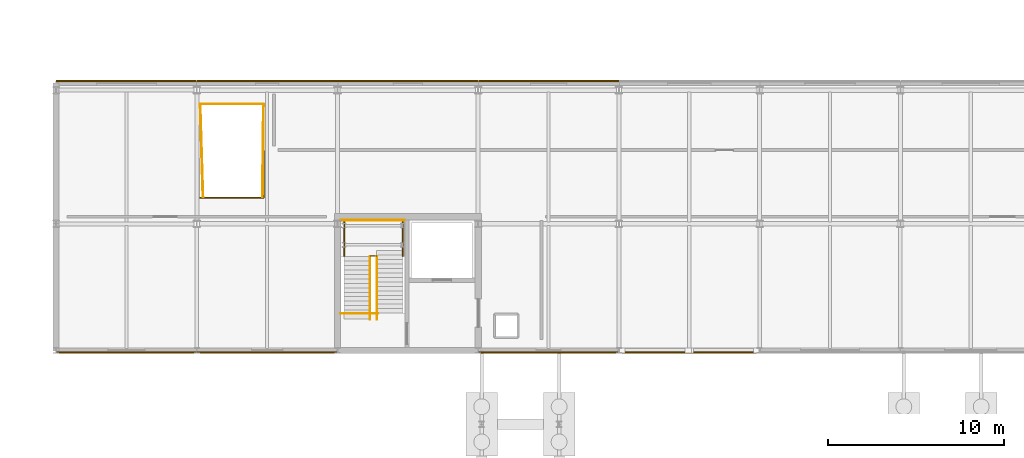
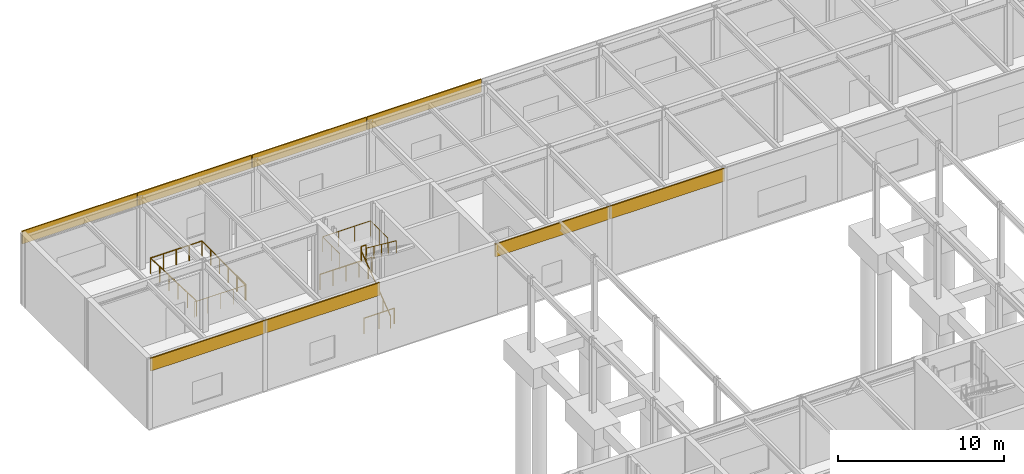
# One storey, part 54 of 62: 10 railings, 8 coverings.
"""IFC4 building model written with IfcOpenShell, lengths in metres."""

from ifc_helpers import new_model, si_unit, direction, frame, origin, origin_2d, place, context, subcontext, project, spatial, rectangle, circle, extrude, material, layer, layer_set, type_object, element, save


model = new_model("IFC4")

# Units and contexts
model_context = context("Model", 3, precision=1e-05, world=origin(), true_north=direction((0.0, 1.0)))
body_context = subcontext(model_context, "Body", "Model", "MODEL_VIEW")
ifc_project = project(units=[si_unit("LENGTHUNIT", "METRE"), si_unit("AREAUNIT", "SQUARE_METRE"), si_unit("VOLUMEUNIT", "CUBIC_METRE"), si_unit("PLANEANGLEUNIT", "RADIAN"), si_unit("MASSUNIT", "GRAM", prefix="KILO")], contexts=[model_context])

# Site, building, storey
site_placement = place(None, origin())
site = spatial("IfcSite", under=ifc_project, at=site_placement, CompositionType="ELEMENT")
building_placement = place(site_placement, origin())
building = spatial("IfcBuilding", under=site, at=building_placement, Name="Zulena Civic Courthouse", CompositionType="ELEMENT")
storey_placement = place(building_placement, origin())
storey = spatial("IfcBuildingStorey", under=building, at=storey_placement, Name="L00", CompositionType="ELEMENT", Elevation=0.0)

# Railings
ifc_material_1 = material(Name="Brushed architectural steel ASTM A36", Category="steel")
railing_type_1 = type_object("IfcRailingType", Name="InteriorGuardrail_1150", PredefinedType="GUARDRAIL", material=ifc_material_1)
railing_1_placement = place(storey_placement, frame((20.199951171875, 53.409912109375, 0.0)))
element("IfcRailing", 1, at=railing_1_placement, inside=storey, type_object=railing_type_1, Name="gr:wellN:K5A:B01", PredefinedType="GUARDRAIL", context=body_context, shape_type="SweptSolid", body=[
    extrude(circle(Radius=0.02392578125, at=origin_2d()), frame((0.00390625, 0.0, 1.1259765625), z_axis=(1.0, 0.0, 0.0), x_axis=(0.0, 1.0, 0.0)), (0.0, 0.0, 1.0), 3.592041015625),
    extrude(circle(Radius=0.02099609375, at=origin_2d()), origin(), (0.0, 0.0, 1.0), 1.097900390625),
    extrude(circle(Radius=0.02099609375, at=origin_2d()), frame((0.89990234375, 0.0, 0.0)), (0.0, 0.0, 1.0), 1.097900390625),
    extrude(circle(Radius=0.02099609375, at=origin_2d()), frame((1.800048828125, 0.0, 0.0)), (0.0, 0.0, 1.0), 1.097900390625),
    extrude(circle(Radius=0.02099609375, at=origin_2d()), frame((2.7001953125, 0.0, 0.0)), (0.0, 0.0, 1.0), 1.097900390625),
    extrude(circle(Radius=0.02099609375, at=origin_2d()), frame((3.60009765625, 0.0, 0.0)), (0.0, 0.0, 1.0), 1.097900390625),
])
railing_2_placement = place(storey_placement, frame((20.179931640625, 48.10009765625, 0.0)))
element("IfcRailing", 2, at=railing_2_placement, inside=storey, type_object=railing_type_1, Name="gr:wells:K5A:L00", PredefinedType="GUARDRAIL", context=body_context, shape_type="SweptSolid", body=[
    extrude(circle(Radius=0.02392578125, at=origin_2d()), frame((0.00390625, 0.0, 1.1259765625), z_axis=(1.0, 0.0, 0.0), x_axis=(0.0, 1.0, 0.0)), (0.0, 0.0, 1.0), 2.112060546875),
    extrude(circle(Radius=0.02099609375, at=origin_2d()), origin(), (0.0, 0.0, 1.0), 1.097900390625),
    extrude(circle(Radius=0.02099609375, at=origin_2d()), frame((1.06005859375, 0.0, 0.0)), (0.0, 0.0, 1.0), 1.097900390625),
    extrude(circle(Radius=0.02099609375, at=origin_2d()), frame((2.1201171875, 0.0, 0.0)), (0.0, 0.0, 1.0), 1.097900390625),
])
railing_3_placement = place(storey_placement, frame((20.3798828125, 51.349609375, 2.699951171875)))
element("IfcRailing", 3, at=railing_3_placement, inside=storey, type_object=railing_type_1, Name="gr:lnd:K5A:L00", PredefinedType="GUARDRAIL", context=body_context, shape_type="SweptSolid", body=[
    extrude(circle(Radius=0.02392578125, at=origin_2d()), frame((0.0, 0.00390625, 1.1259765625), z_axis=(0.0, 1.0, 0.0), x_axis=(-1.0, 0.0, 0.0)), (0.0, 0.0, 1.0), 2.062255859375),
    extrude(circle(Radius=0.02392578125, at=origin_2d()), frame((0.00390625, 2.0703125, 1.1259765625), z_axis=(1.0, 0.0, 0.0), x_axis=(0.0, 1.0, 0.0)), (0.0, 0.0, 1.0), 3.33203125),
    extrude(circle(Radius=0.02392578125, at=origin_2d()), frame((3.340087890625, 2.06640625, 1.1259765625), z_axis=(0.0, -1.0, 0.0), x_axis=(1.0, 0.0, 0.0)), (0.0, 0.0, 1.0), 2.062255859375),
    extrude(circle(Radius=0.02099609375, at=origin_2d()), origin(), (0.0, 0.0, 1.0), 1.097900390625),
    extrude(circle(Radius=0.02099609375, at=origin_2d()), frame((0.0, 1.03515625, 0.0)), (0.0, 0.0, 1.0), 1.097900390625),
    extrude(circle(Radius=0.02099609375, at=origin_2d()), frame((0.0, 2.0703125, 0.0)), (0.0, 0.0, 1.0), 1.097900390625),
    extrude(circle(Radius=0.02099609375, at=origin_2d()), frame((1.11328125, 2.0703125, 0.0)), (0.0, 0.0, 1.0), 1.097900390625),
    extrude(circle(Radius=0.02099609375, at=origin_2d()), frame((2.226806640625, 2.0703125, 0.0)), (0.0, 0.0, 1.0), 1.097900390625),
    extrude(circle(Radius=0.02099609375, at=origin_2d()), frame((3.340087890625, 2.0703125, 0.0)), (0.0, 0.0, 1.0), 1.097900390625),
    extrude(circle(Radius=0.02099609375, at=origin_2d()), frame((3.340087890625, 1.03515625, 0.0)), (0.0, 0.0, 1.0), 1.097900390625),
    extrude(circle(Radius=0.02099609375, at=origin_2d()), frame((3.340087890625, 0.0, 0.0)), (0.0, 0.0, 1.0), 1.097900390625),
])
railing_4_placement = place(storey_placement, frame((21.8798828125, 51.3701171875, 2.699951171875)))
element("IfcRailing", 4, at=railing_4_placement, inside=storey, type_object=railing_type_1, Name="gr:lndslot:K5A:L00", PredefinedType="GUARDRAIL", context=body_context, shape_type="SweptSolid", body=[
    extrude(circle(Radius=0.02392578125, at=origin_2d()), frame((0.00390625, 0.0, 1.1259765625), z_axis=(1.0, 0.0, 0.0), x_axis=(0.0, 1.0, 0.0)), (0.0, 0.0, 1.0), 0.33203125),
    extrude(circle(Radius=0.02099609375, at=origin_2d()), origin(), (0.0, 0.0, 1.0), 1.097900390625),
    extrude(circle(Radius=0.02099609375, at=origin_2d()), frame((0.340087890625, 0.0, 0.0)), (0.0, 0.0, 1.0), 1.097900390625),
])
railing_5_placement = place(storey_placement, frame((12.199951171875, 60.010009765625, 0.0)))
element("IfcRailing", 5, at=railing_5_placement, inside=storey, type_object=railing_type_1, Name="gr:wellN:STB1:B01", PredefinedType="GUARDRAIL", context=body_context, shape_type="SweptSolid", body=[
    extrude(circle(Radius=0.02392578125, at=origin_2d()), frame((0.00390625, 0.0, 1.1259765625), z_axis=(1.0, 0.0, 0.0), x_axis=(0.0, 1.0, 0.0)), (0.0, 0.0, 1.0), 3.592041015625),
    extrude(circle(Radius=0.02099609375, at=origin_2d()), origin(), (0.0, 0.0, 1.0), 1.097900390625),
    extrude(circle(Radius=0.02099609375, at=origin_2d()), frame((0.89990234375, 0.0, 0.0)), (0.0, 0.0, 1.0), 1.097900390625),
    extrude(circle(Radius=0.02099609375, at=origin_2d()), frame((1.800048828125, 0.0, 0.0)), (0.0, 0.0, 1.0), 1.097900390625),
    extrude(circle(Radius=0.02099609375, at=origin_2d()), frame((2.7001953125, 0.0, 0.0)), (0.0, 0.0, 1.0), 1.097900390625),
    extrude(circle(Radius=0.02099609375, at=origin_2d()), frame((3.60009765625, 0.0, 0.0)), (0.0, 0.0, 1.0), 1.097900390625),
])
railing_6_placement = place(storey_placement, frame((15.800048828125, 60.02001953125, 0.0)))
element("IfcRailing", 6, at=railing_6_placement, inside=storey, type_object=railing_type_1, Name="gr:topwell:STB1:B01", PredefinedType="GUARDRAIL", context=body_context, shape_type="SweptSolid", body=[
    extrude(circle(Radius=0.02392578125, at=origin_2d()), frame((0.0, -0.00390625, 1.1259765625), z_axis=(0.0, -1.0, 0.0), x_axis=(1.0, 0.0, 0.0)), (0.0, 0.0, 1.0), 5.33203125),
    extrude(circle(Radius=0.02392578125, at=origin_2d()), frame((-0.00390625, -5.340087890625, 1.1259765625), z_axis=(-1.0, 0.0, 0.0), x_axis=(0.0, -1.0, 0.0)), (0.0, 0.0, 1.0), 3.612060546875),
    extrude(circle(Radius=0.02099609375, at=origin_2d()), origin(), (0.0, 0.0, 1.0), 1.097900390625),
    extrude(circle(Radius=0.02099609375, at=origin_2d()), frame((0.0, -1.068115234375, 0.0)), (0.0, 0.0, 1.0), 1.097900390625),
    extrude(circle(Radius=0.02099609375, at=origin_2d()), frame((0.0, -2.135986328125, 0.0)), (0.0, 0.0, 1.0), 1.097900390625),
    extrude(circle(Radius=0.02099609375, at=origin_2d()), frame((0.0, -3.2041015625, 0.0)), (0.0, 0.0, 1.0), 1.097900390625),
    extrude(circle(Radius=0.02099609375, at=origin_2d()), frame((0.0, -4.27197265625, 0.0)), (0.0, 0.0, 1.0), 1.097900390625),
    extrude(circle(Radius=0.02099609375, at=origin_2d()), frame((0.0, -5.340087890625, 0.0)), (0.0, 0.0, 1.0), 1.097900390625),
    extrude(circle(Radius=0.02099609375, at=origin_2d()), frame((-0.905029296875, -5.340087890625, 0.0)), (0.0, 0.0, 1.0), 1.097900390625),
    extrude(circle(Radius=0.02099609375, at=origin_2d()), frame((-1.81005859375, -5.340087890625, 0.0)), (0.0, 0.0, 1.0), 1.097900390625),
    extrude(circle(Radius=0.02099609375, at=origin_2d()), frame((-2.715087890625, -5.340087890625, 0.0)), (0.0, 0.0, 1.0), 1.097900390625),
    extrude(circle(Radius=0.02099609375, at=origin_2d()), frame((-3.6201171875, -5.340087890625, 0.0)), (0.0, 0.0, 1.0), 1.097900390625),
])
railing_7_placement = place(storey_placement, frame((12.360107421875, 54.719970703125, 0.0)))
element("IfcRailing", 7, at=railing_7_placement, inside=storey, type_object=railing_type_1, Name="gr:b01wellW:STB1", PredefinedType="GUARDRAIL", context=body_context, shape_type="SweptSolid", body=[
    extrude(circle(Radius=0.02392578125, at=origin_2d()), frame((0.0, 0.00390625, 1.1259765625), z_axis=(-0.030261194781, 0.999542025175, 0.0), x_axis=(-0.999542025175, -0.030261194781, 0.0)), (0.0, 0.0, 1.0), 5.284423828125),
    extrude(circle(Radius=0.02099609375, at=origin_2d()), origin(), (0.0, 0.0, 1.0), 1.097900390625),
    extrude(circle(Radius=0.02099609375, at=origin_2d()), frame((-0.031982421875, 1.05810546875, 0.0)), (0.0, 0.0, 1.0), 1.097900390625),
    extrude(circle(Radius=0.02099609375, at=origin_2d()), frame((-0.06396484375, 2.115966796875, 0.0)), (0.0, 0.0, 1.0), 1.097900390625),
    extrude(circle(Radius=0.02099609375, at=origin_2d()), frame((-0.09619140625, 3.174072265625, 0.0)), (0.0, 0.0, 1.0), 1.097900390625),
    extrude(circle(Radius=0.02099609375, at=origin_2d()), frame((-0.128173828125, 4.23193359375, 0.0)), (0.0, 0.0, 1.0), 1.097900390625),
    extrude(circle(Radius=0.02099609375, at=origin_2d()), frame((-0.16015625, 5.2900390625, 0.0)), (0.0, 0.0, 1.0), 1.097900390625),
])
railing_8_placement = place(storey_placement, frame((15.739990234375, 54.719970703125, 0.0)))
element("IfcRailing", 8, at=railing_8_placement, inside=storey, type_object=railing_type_1, Name="gr:b01wellE:STB1", PredefinedType="GUARDRAIL", context=body_context, shape_type="SweptSolid", body=[
    extrude(circle(Radius=0.02392578125, at=origin_2d()), frame((0.0, 0.00390625, 1.1259765625), z_axis=(0.011352415893, 0.99993555925, 0.0), x_axis=(-0.99993555925, 0.011352415893, 0.0)), (0.0, 0.0, 1.0), 5.282470703125),
    extrude(circle(Radius=0.02099609375, at=origin_2d()), origin(), (0.0, 0.0, 1.0), 1.097900390625),
    extrude(circle(Radius=0.02099609375, at=origin_2d()), frame((0.011962890625, 1.05810546875, 0.0)), (0.0, 0.0, 1.0), 1.097900390625),
    extrude(circle(Radius=0.02099609375, at=origin_2d()), frame((0.02392578125, 2.115966796875, 0.0)), (0.0, 0.0, 1.0), 1.097900390625),
    extrude(circle(Radius=0.02099609375, at=origin_2d()), frame((0.0361328125, 3.174072265625, 0.0)), (0.0, 0.0, 1.0), 1.097900390625),
    extrude(circle(Radius=0.02099609375, at=origin_2d()), frame((0.048095703125, 4.23193359375, 0.0)), (0.0, 0.0, 1.0), 1.097900390625),
    extrude(circle(Radius=0.02099609375, at=origin_2d()), frame((0.06005859375, 5.2900390625, 0.0)), (0.0, 0.0, 1.0), 1.097900390625),
])

# Coverings
ifc_material_2 = material(Name="White architectural precast concrete C40/50", Category="concrete")
ifc_layer = layer(ifc_material_2, 0.0849609375)
ifc_layer_set = layer_set([ifc_layer], Name="White architectural precast concrete C40/50")
covering_type = type_object("IfcCoveringType", Name="PrecastSpandrelCladding_85", PredefinedType="CLADDING", material=ifc_layer_set)
for number, where, z_axis, x_axis, name in (
    (9, (8.0, 61.320068359375, 4.25), (0.0, 0.0, 1.0), (1.0, 0.0, 0.0), "clad:sp:V5:L00:1:0"),
    (10, (16.0, 61.320068359375, 4.25), (0.0, 0.0, 1.0), (1.0, 0.0, 0.0), "clad:sp:V5:L00:1:1"),
    (11, (24.0, 61.320068359375, 4.25), (0.0, 0.0, 1.0), (1.0, 0.0, 0.0), "clad:sp:V5:L00:1:2"),
    (12, (32.0, 61.320068359375, 4.25), (0.0, 0.0, 1.0), (1.0, 0.0, 0.0), "clad:sp:V5:L00:1:3"),
    (13, (40.0, 45.8798828125, 4.25), (0.0, 0.0, 1.0), (-1.0, 0.0, 0.0), "clad:sp:V5:L00:5:8"),
    (14, (32.0, 45.8798828125, 4.25), (0.0, 0.0, 1.0), (-1.0, 0.0, 0.0), "clad:sp:V5:L00:5:9"),
    (15, (16.0, 45.8798828125, 4.25), (0.0, 0.0, 1.0), (-1.0, 0.0, 0.0), "clad:sp:V5:L00:5:11"),
    (16, (8.0, 45.8798828125, 4.25), (0.0, 0.0, 1.0), (-1.0, 0.0, 0.0), "clad:sp:V5:L00:5:12"),
):
    element("IfcCovering", number, at=place(storey_placement, frame(where, z_axis=z_axis, x_axis=x_axis)), inside=storey, type_object=covering_type, Name=name, PredefinedType="CLADDING", context=body_context, shape_type="SweptSolid", body=[
        extrude(rectangle(XDim=7.9599609375, YDim=0.0849609375, at=origin_2d()), origin(), (0.0, 0.0, 1.0), 0.93994140625),
    ])

# Railings
railing_type_2 = type_object("IfcRailingType", Name="StairHandrail_920", PredefinedType="HANDRAIL", material=ifc_material_1)
railing_9_placement = place(storey_placement, frame((21.85009765625, 47.780029296875, 0.0)))
element("IfcRailing", 17, at=railing_9_placement, inside=storey, type_object=railing_type_2, Name="hr:K5A:L00:1", PredefinedType="HANDRAIL", context=body_context, shape_type="SweptSolid", body=[
    extrude(circle(Radius=0.02392578125, at=origin_2d()), frame((0.0, 0.003173828125, 0.898193359375), z_axis=(0.0, 0.797551790998, 0.603250479218), x_axis=(-1.0, 0.0, 0.0)), (0.0, 0.0, 1.0), 4.4677734375),
    extrude(circle(Radius=0.02099609375, at=origin_2d()), origin(), (0.0, 0.0, 1.0), 0.867919921875),
    extrude(circle(Radius=0.02099609375, at=origin_2d()), frame((0.0, 0.892333984375, 0.675048828125)), (0.0, 0.0, 1.0), 0.867919921875),
    extrude(circle(Radius=0.02099609375, at=origin_2d()), frame((0.0, 1.78466796875, 1.35009765625)), (0.0, 0.0, 1.0), 0.867919921875),
    extrude(circle(Radius=0.02099609375, at=origin_2d()), frame((0.0, 2.67724609375, 2.02490234375)), (0.0, 0.0, 1.0), 0.867919921875),
    extrude(circle(Radius=0.02099609375, at=origin_2d()), frame((0.0, 3.569580078125, 2.699951171875)), (0.0, 0.0, 1.0), 0.867919921875),
])
railing_10_placement = place(storey_placement, frame((22.25, 51.349609375, 2.699951171875)))
element("IfcRailing", 18, at=railing_10_placement, inside=storey, type_object=railing_type_2, Name="hr:K5A:L00:2", PredefinedType="HANDRAIL", context=body_context, shape_type="SweptSolid", body=[
    extrude(circle(Radius=0.02392578125, at=origin_2d()), frame((0.0, -0.003173828125, 0.898193359375), z_axis=(0.0, -0.797551790998, 0.603250479218), x_axis=(1.0, 0.0, 0.0)), (0.0, 0.0, 1.0), 4.4677734375),
    extrude(circle(Radius=0.02099609375, at=origin_2d()), origin(), (0.0, 0.0, 1.0), 0.867919921875),
    extrude(circle(Radius=0.02099609375, at=origin_2d()), frame((0.0, -0.892333984375, 0.675048828125)), (0.0, 0.0, 1.0), 0.867919921875),
    extrude(circle(Radius=0.02099609375, at=origin_2d()), frame((0.0, -1.78466796875, 1.35009765625)), (0.0, 0.0, 1.0), 0.867919921875),
    extrude(circle(Radius=0.02099609375, at=origin_2d()), frame((0.0, -2.67724609375, 2.02490234375)), (0.0, 0.0, 1.0), 0.867919921875),
    extrude(circle(Radius=0.02099609375, at=origin_2d()), frame((0.0, -3.569580078125, 2.699951171875)), (0.0, 0.0, 1.0), 0.867919921875),
])

save(model, "model.ifc")
